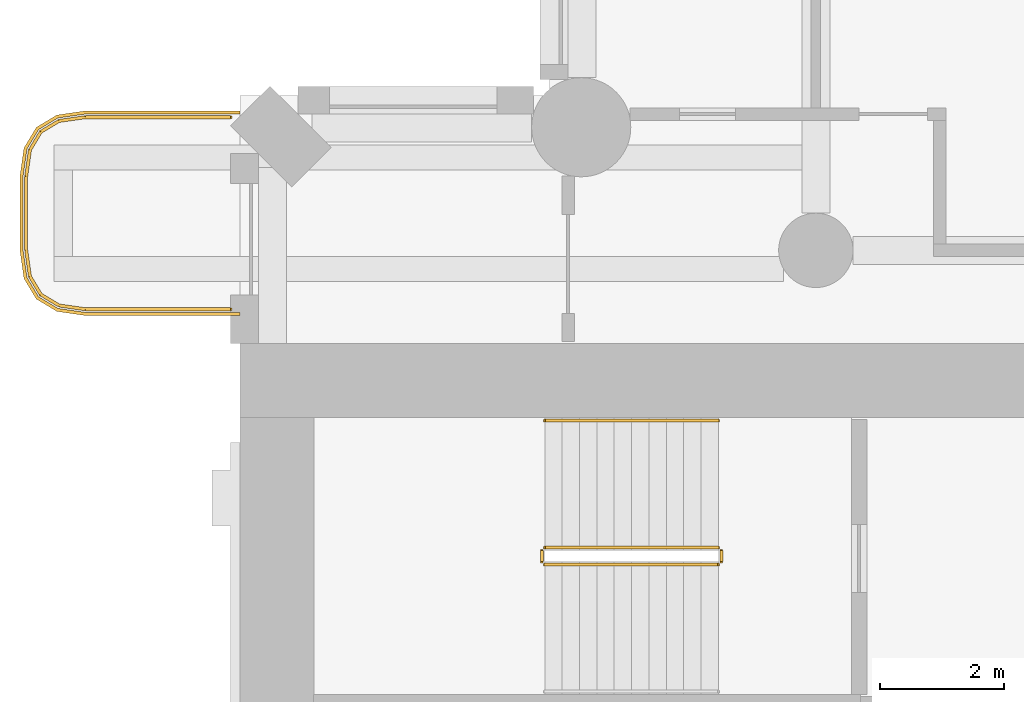
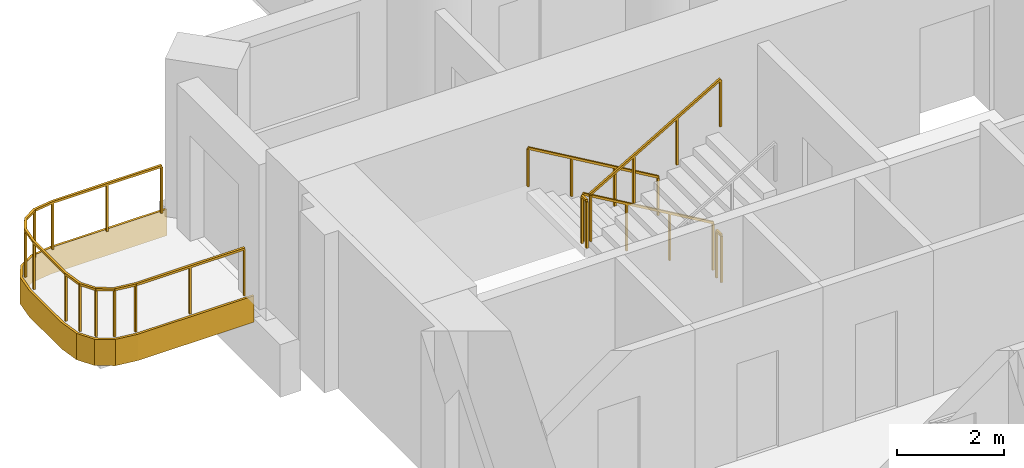
# One storey, part 17 of 20: 6 railings, 1 covering.
"""IFC4 building model written with IfcOpenShell, lengths in metres."""

from ifc_helpers import new_model, si_unit, direction, frame, origin, origin_2d, place, context, subcontext, project, spatial, polyline, rectangle, outline, extrude, material, layer, layer_set, type_object, element, save


model = new_model("IFC4")

# Units and contexts
model_context = context("Model", 3, precision=1e-05, world=origin(), true_north=direction((0.0, 1.0)))
body_context = subcontext(model_context, "Body", "Model", "MODEL_VIEW")
ifc_project = project(units=[si_unit("LENGTHUNIT", "METRE"), si_unit("AREAUNIT", "SQUARE_METRE"), si_unit("VOLUMEUNIT", "CUBIC_METRE"), si_unit("PLANEANGLEUNIT", "RADIAN"), si_unit("MASSUNIT", "GRAM", prefix="KILO")], contexts=[model_context])

# Site, building, storey
site_placement = place(None, origin())
site = spatial("IfcSite", under=ifc_project, at=site_placement, CompositionType="ELEMENT")
building_placement = place(site_placement, origin())
building = spatial("IfcBuilding", under=site, at=building_placement, Name="Cypress Arch Tower", CompositionType="ELEMENT")
storey_placement = place(building_placement, frame((0.0, 0.0, 80.699951171875)))
storey = spatial("IfcBuildingStorey", under=building, at=storey_placement, Name="L14", CompositionType="ELEMENT", Elevation=80.699951171875)

# Covering
ifc_material_1 = material(Name="White powder-coated aluminium fascia", Category="aluminium")
ifc_layer = layer(ifc_material_1, 0.050048828125)
ifc_layer_set = layer_set([ifc_layer], Name="Balcony fascia BF50")
covering_type = type_object("IfcCoveringType", Name="Balcony fascia BF50", PredefinedType="CLADDING", material=ifc_layer_set)
covering_placement = place(storey_placement, frame((0.0, 0.0, -0.599853515625)))
element("IfcCovering", 1, at=covering_placement, inside=storey, type_object=covering_type, Name="Balcony fascia L14-A00W0", PredefinedType="CLADDING", context=body_context, shape_type="SweptSolid", body=[
    extrude(outline(polyline([(-32.503662109375, 16.449951171875), (-32.95458984375, 16.514404296875), (-33.286376953125, 16.713623046875), (-33.485595703125, 17.04541015625), (-33.550048828125, 17.496337890625), (-33.550048828125, 18.70361328125), (-33.485595703125, 19.154541015625), (-33.286376953125, 19.486328125), (-32.95458984375, 19.685546875), (-32.503662109375, 19.75), (-30.0009765625, 19.75), (-30.0009765625, 19.699951171875), (-32.5, 19.699951171875), (-32.9375, 19.637451171875), (-33.25, 19.449951171875), (-33.4375, 19.137451171875), (-33.5, 18.699951171875), (-33.5, 17.5), (-33.4375, 17.0625), (-33.25, 16.75), (-32.9375, 16.5625), (-32.5, 16.5), (-30.0009765625, 16.5), (-30.0009765625, 16.449951171875), (-32.503662109375, 16.449951171875)])), origin(), (0.0, 0.0, 1.0), 0.599853515625),
])

# Railings
ifc_material_2 = material(Name="Powder-coated steel posts and rods, 100 mm clear between rods", Category="steel")
railing_type_1 = type_object("IfcRailingType", Name="Balcony guard GR1100", PredefinedType="GUARDRAIL", material=ifc_material_2)
railing_1_placement = place(storey_placement, frame((-30.14990234375, 16.550048828125, 0.0)))
element("IfcRailing", 2, at=railing_1_placement, inside=storey, type_object=railing_type_1, Name="Balcony guard L14-A00W0", PredefinedType="GUARDRAIL", context=body_context, shape_type="SweptSolid", body=[
    extrude(rectangle(XDim=0.050048828125, YDim=0.050048828125, at=origin_2d()), frame((0.0, 0.0, 1.0751953125), z_axis=(-1.0, 0.0, 0.0), x_axis=(0.0, -1.0, 0.0)), (0.0, 0.0, 1.0), 2.346435546875),
    extrude(rectangle(XDim=0.050048828125, YDim=0.050048828125, at=origin_2d()), frame((-2.346435546875, 0.0, 1.0751953125), z_axis=(-0.989960888959, 0.141341566184, 0.0), x_axis=(-0.141341566184, -0.989960888959, 0.0)), (0.0, 0.0, 1.0), 0.428466796875),
    extrude(rectangle(XDim=0.050048828125, YDim=0.050048828125, at=origin_2d()), frame((-2.7705078125, 0.060546875, 1.0751953125), z_axis=(-0.857681904839, 0.514180659021, 0.0), x_axis=(-0.514180659021, -0.857681904839, 0.0)), (0.0, 0.0, 1.0), 0.341796875),
    extrude(rectangle(XDim=0.050048828125, YDim=0.050048828125, at=origin_2d()), frame((-3.063720703125, 0.236328125, 1.0751953125), z_axis=(-0.514180659021, 0.857681904839, 0.0), x_axis=(-0.857681904839, -0.514180659021, 0.0)), (0.0, 0.0, 1.0), 0.341796875),
    extrude(rectangle(XDim=0.050048828125, YDim=0.050048828125, at=origin_2d()), frame((-3.239501953125, 0.529541015625, 1.0751953125), z_axis=(-0.141341566184, 0.989960888959, 0.0), x_axis=(-0.989960888959, -0.141341566184, 0.0)), (0.0, 0.0, 1.0), 0.428466796875),
    extrude(rectangle(XDim=0.050048828125, YDim=0.050048828125, at=origin_2d()), frame((-3.300048828125, 0.95361328125, 1.0751953125), z_axis=(0.0, 1.0, 0.0), x_axis=(-1.0, 0.0, 0.0)), (0.0, 0.0, 1.0), 1.19287109375),
    extrude(rectangle(XDim=0.050048828125, YDim=0.050048828125, at=origin_2d()), frame((-3.300048828125, 2.146484375, 1.0751953125), z_axis=(0.141421356237, 0.989949493661, 0.0), x_axis=(-0.989949493661, 0.141421356237, 0.0)), (0.0, 0.0, 1.0), 0.42822265625),
    extrude(rectangle(XDim=0.050048828125, YDim=0.050048828125, at=origin_2d()), frame((-3.239501953125, 2.5703125, 1.0751953125), z_axis=(0.514180659021, 0.857681904839, 0.0), x_axis=(-0.857681904839, 0.514180659021, 0.0)), (0.0, 0.0, 1.0), 0.341796875),
    extrude(rectangle(XDim=0.050048828125, YDim=0.050048828125, at=origin_2d()), frame((-3.063720703125, 2.863525390625, 1.0751953125), z_axis=(0.857681904839, 0.514180659021, 0.0), x_axis=(-0.514180659021, 0.857681904839, 0.0)), (0.0, 0.0, 1.0), 0.341796875),
    extrude(rectangle(XDim=0.050048828125, YDim=0.050048828125, at=origin_2d()), frame((-2.7705078125, 3.039306640625, 1.0751953125), z_axis=(0.989960888959, 0.141341566184, 0.0), x_axis=(-0.141341566184, 0.989960888959, 0.0)), (0.0, 0.0, 1.0), 0.428466796875),
    extrude(rectangle(XDim=0.050048828125, YDim=0.050048828125, at=origin_2d()), frame((-2.346435546875, 3.099853515625, 1.0751953125), z_axis=(1.0, 0.0, 0.0), x_axis=(0.0, 1.0, 0.0)), (0.0, 0.0, 1.0), 2.346435546875),
    extrude(rectangle(XDim=0.0400390625, YDim=0.0400390625, at=origin_2d()), origin(), (0.0, 0.0, 1.0), 1.050048828125),
    extrude(rectangle(XDim=0.0400390625, YDim=0.0400390625, at=origin_2d()), frame((-1.17333984375, 0.0, 0.0)), (0.0, 0.0, 1.0), 1.050048828125),
    extrude(rectangle(XDim=0.0400390625, YDim=0.0400390625, at=origin_2d()), frame((-2.346435546875, 0.0, 0.0)), (0.0, 0.0, 1.0), 1.050048828125),
    extrude(rectangle(XDim=0.0400390625, YDim=0.0400390625, at=origin_2d()), frame((-2.7705078125, 0.060546875, 0.0)), (0.0, 0.0, 1.0), 1.050048828125),
    extrude(rectangle(XDim=0.0400390625, YDim=0.0400390625, at=origin_2d()), frame((-3.063720703125, 0.236328125, 0.0)), (0.0, 0.0, 1.0), 1.050048828125),
    extrude(rectangle(XDim=0.0400390625, YDim=0.0400390625, at=origin_2d()), frame((-3.239501953125, 0.529541015625, 0.0)), (0.0, 0.0, 1.0), 1.050048828125),
    extrude(rectangle(XDim=0.0400390625, YDim=0.0400390625, at=origin_2d()), frame((-3.300048828125, 0.95361328125, 0.0)), (0.0, 0.0, 1.0), 1.050048828125),
    extrude(rectangle(XDim=0.0400390625, YDim=0.0400390625, at=origin_2d()), frame((-3.300048828125, 2.146484375, 0.0)), (0.0, 0.0, 1.0), 1.050048828125),
    extrude(rectangle(XDim=0.0400390625, YDim=0.0400390625, at=origin_2d()), frame((-3.239501953125, 2.5703125, 0.0)), (0.0, 0.0, 1.0), 1.050048828125),
    extrude(rectangle(XDim=0.0400390625, YDim=0.0400390625, at=origin_2d()), frame((-3.063720703125, 2.863525390625, 0.0)), (0.0, 0.0, 1.0), 1.050048828125),
    extrude(rectangle(XDim=0.0400390625, YDim=0.0400390625, at=origin_2d()), frame((-2.7705078125, 3.039306640625, 0.0)), (0.0, 0.0, 1.0), 1.050048828125),
    extrude(rectangle(XDim=0.0400390625, YDim=0.0400390625, at=origin_2d()), frame((-2.346435546875, 3.099853515625, 0.0)), (0.0, 0.0, 1.0), 1.050048828125),
    extrude(rectangle(XDim=0.0400390625, YDim=0.0400390625, at=origin_2d()), frame((-1.17333984375, 3.099853515625, 0.0)), (0.0, 0.0, 1.0), 1.050048828125),
    extrude(rectangle(XDim=0.0400390625, YDim=0.0400390625, at=origin_2d()), frame((0.0, 3.099853515625, 0.0)), (0.0, 0.0, 1.0), 1.050048828125),
])
ifc_material_3 = material(Name="Black powder-coated steel square bar 48 mm", Category="steel")
railing_type_2 = type_object("IfcRailingType", Name="Stair handrail HR1", PredefinedType="HANDRAIL", material=ifc_material_3)
railing_2_placement = place(storey_placement, frame((-22.27490234375, 14.75, 0.16357421875)))
element("IfcRailing", 3, at=railing_2_placement, inside=storey, type_object=railing_type_2, Name="L14 B stair handrail 1", PredefinedType="HANDRAIL", context=body_context, shape_type="SweptSolid", body=[
    extrude(rectangle(XDim=0.048095703125, YDim=0.048095703125, at=origin_2d()), frame((0.0, 0.0, 0.8759765625), z_axis=(-0.863360870873, 0.0, 0.504586966384), x_axis=(0.0, -1.0, 0.0)), (0.0, 0.0, 1.0), 3.2431640625),
    extrude(rectangle(XDim=0.0419921875, YDim=0.0419921875, at=origin_2d()), origin(), (0.0, 0.0, 1.0), 0.851806640625),
    extrude(rectangle(XDim=0.0419921875, YDim=0.0419921875, at=origin_2d()), frame((-0.933349609375, 0.0, 0.54541015625)), (0.0, 0.0, 1.0), 0.851806640625),
    extrude(rectangle(XDim=0.0419921875, YDim=0.0419921875, at=origin_2d()), frame((-1.86669921875, 0.0, 1.091064453125)), (0.0, 0.0, 1.0), 0.851806640625),
    extrude(rectangle(XDim=0.0419921875, YDim=0.0419921875, at=origin_2d()), frame((-2.800048828125, 0.0, 1.636474609375)), (0.0, 0.0, 1.0), 0.851806640625),
])
ifc_material_4 = material(Name="Black powder-coated steel balusters", Category="steel")
railing_type_3 = type_object("IfcRailingType", Name="Stair well guard G1", PredefinedType="GUARDRAIL", material=ifc_material_4)
railing_3_placement = place(storey_placement, frame((-22.27490234375, 12.699951171875, 0.16357421875)))
element("IfcRailing", 4, at=railing_3_placement, inside=storey, type_object=railing_type_3, Name="L14 B stair guard 1", PredefinedType="GUARDRAIL", context=body_context, shape_type="SweptSolid", body=[
    extrude(rectangle(XDim=0.048095703125, YDim=0.048095703125, at=origin_2d()), frame((0.0, 0.0, 1.076171875), z_axis=(-0.863360870873, 0.0, 0.504586966384), x_axis=(0.0, -1.0, 0.0)), (0.0, 0.0, 1.0), 3.2431640625),
    extrude(rectangle(XDim=0.0419921875, YDim=0.0419921875, at=origin_2d()), origin(), (0.0, 0.0, 1.0), 1.052001953125),
    extrude(rectangle(XDim=0.0419921875, YDim=0.0419921875, at=origin_2d()), frame((-0.933349609375, 0.0, 0.54541015625)), (0.0, 0.0, 1.0), 1.052001953125),
    extrude(rectangle(XDim=0.0419921875, YDim=0.0419921875, at=origin_2d()), frame((-1.86669921875, 0.0, 1.091064453125)), (0.0, 0.0, 1.0), 1.052001953125),
    extrude(rectangle(XDim=0.0419921875, YDim=0.0419921875, at=origin_2d()), frame((-2.800048828125, 0.0, 1.636474609375)), (0.0, 0.0, 1.0), 1.052001953125),
])
railing_4_placement = place(storey_placement, frame((-25.125, 12.64990234375, 1.800048828125)))
element("IfcRailing", 5, at=railing_4_placement, inside=storey, type_object=railing_type_3, Name="L14 B stair guard 2", PredefinedType="GUARDRAIL", context=body_context, shape_type="SweptSolid", body=[
    extrude(rectangle(XDim=0.048095703125, YDim=0.048095703125, at=origin_2d()), frame((0.0, 0.0, 1.076171875), z_axis=(0.0, -1.0, 0.0), x_axis=(1.0, 0.0, 0.0)), (0.0, 0.0, 1.0), 0.1748046875),
    extrude(rectangle(XDim=0.0419921875, YDim=0.0419921875, at=origin_2d()), origin(), (0.0, 0.0, 1.0), 1.052001953125),
    extrude(rectangle(XDim=0.0419921875, YDim=0.0419921875, at=origin_2d()), frame((0.0, -0.1748046875, 0.0)), (0.0, 0.0, 1.0), 1.052001953125),
])
railing_5_placement = place(storey_placement, frame((-25.074951171875, 12.425048828125, 1.963623046875)))
element("IfcRailing", 6, at=railing_5_placement, inside=storey, type_object=railing_type_3, Name="L14 B stair guard 3", PredefinedType="GUARDRAIL", context=body_context, shape_type="SweptSolid", body=[
    extrude(rectangle(XDim=0.048095703125, YDim=0.048095703125, at=origin_2d()), frame((0.0, 0.0, 1.076171875), z_axis=(0.863360870873, 0.0, 0.504586966384), x_axis=(0.0, 1.0, 0.0)), (0.0, 0.0, 1.0), 3.2431640625),
    extrude(rectangle(XDim=0.0419921875, YDim=0.0419921875, at=origin_2d()), origin(), (0.0, 0.0, 1.0), 1.052001953125),
    extrude(rectangle(XDim=0.0419921875, YDim=0.0419921875, at=origin_2d()), frame((0.933349609375, 0.0, 0.54541015625)), (0.0, 0.0, 1.0), 1.052001953125),
    extrude(rectangle(XDim=0.0419921875, YDim=0.0419921875, at=origin_2d()), frame((1.86669921875, 0.0, 1.091064453125)), (0.0, 0.0, 1.0), 1.052001953125),
    extrude(rectangle(XDim=0.0419921875, YDim=0.0419921875, at=origin_2d()), frame((2.800048828125, 0.0, 1.636474609375)), (0.0, 0.0, 1.0), 1.052001953125),
])
railing_6_placement = place(storey_placement, frame((-22.22509765625, 12.64990234375, 0.0)))
element("IfcRailing", 7, at=railing_6_placement, inside=storey, type_object=railing_type_3, Name="L14 B stair guard 4", PredefinedType="GUARDRAIL", context=body_context, shape_type="SweptSolid", body=[
    extrude(rectangle(XDim=0.048095703125, YDim=0.048095703125, at=origin_2d()), frame((0.0, 0.0, 1.076171875), z_axis=(0.0, -1.0, 0.0), x_axis=(1.0, 0.0, 0.0)), (0.0, 0.0, 1.0), 0.1748046875),
    extrude(rectangle(XDim=0.0419921875, YDim=0.0419921875, at=origin_2d()), origin(), (0.0, 0.0, 1.0), 1.052001953125),
    extrude(rectangle(XDim=0.0419921875, YDim=0.0419921875, at=origin_2d()), frame((0.0, -0.1748046875, 0.0)), (0.0, 0.0, 1.0), 1.052001953125),
])

save(model, "model.ifc")
